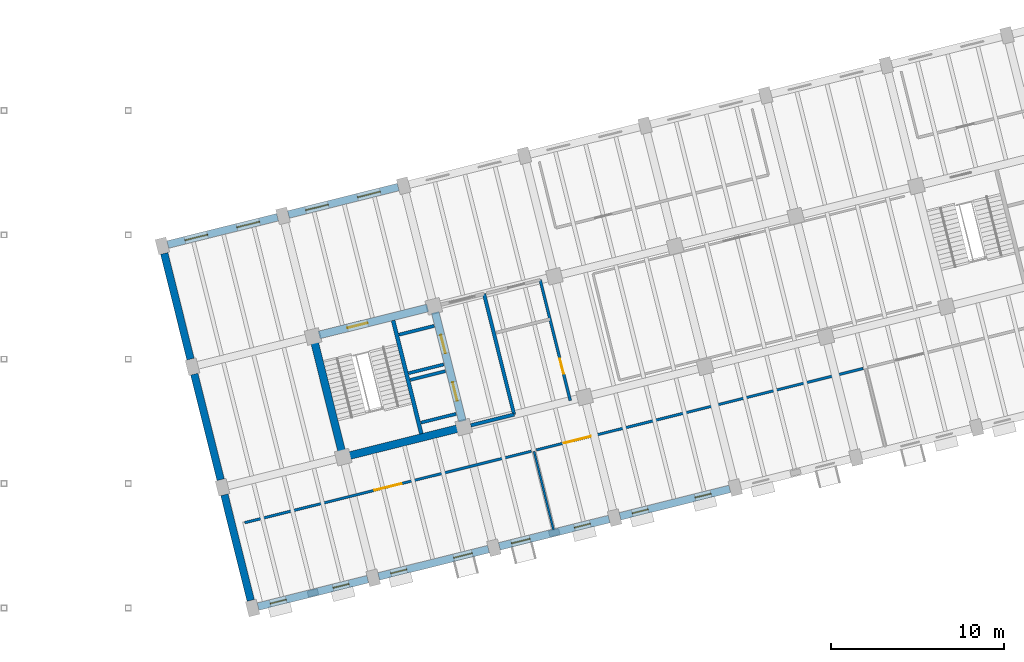
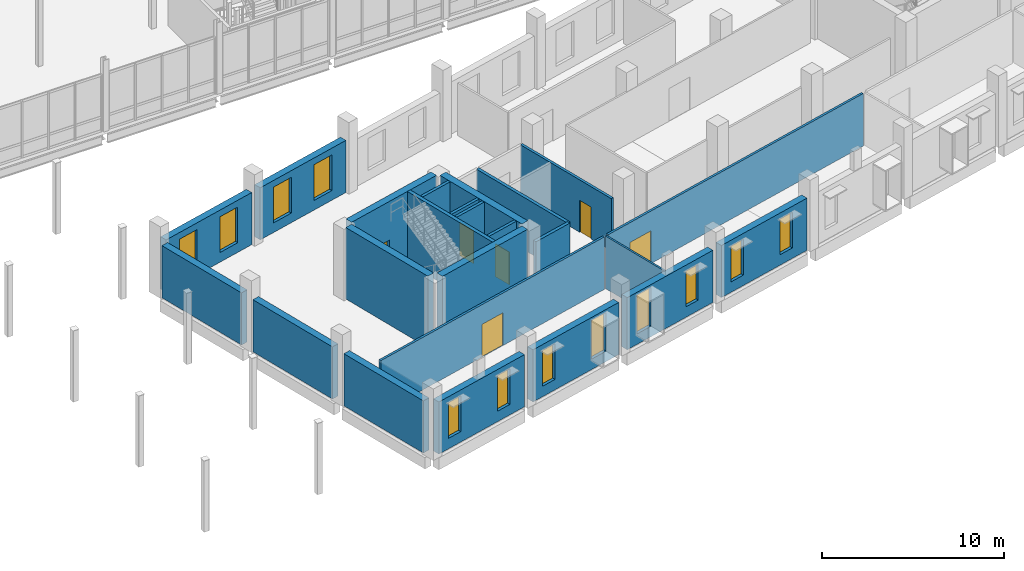
# One storey, part 61 of 77: 24 walls, 12 windows, 6 doors, 18 openings.
"""IFC4 building model written with IfcOpenShell, lengths in metres."""

from ifc_helpers import new_model, si_unit, direction, frame, frame_2d, origin, place, context, subcontext, project, spatial, rectangle, extrude, material, layer, layer_set, type_object, element, fill, save


model = new_model("IFC4")

# Units and contexts
model_context = context("Model", 3, precision=1e-05, world=origin(), true_north=direction((0.0, 1.0)))
body_context = subcontext(model_context, "Body", "Model", "MODEL_VIEW")
ifc_project = project(units=[si_unit("LENGTHUNIT", "METRE"), si_unit("AREAUNIT", "SQUARE_METRE"), si_unit("VOLUMEUNIT", "CUBIC_METRE"), si_unit("PLANEANGLEUNIT", "RADIAN"), si_unit("MASSUNIT", "GRAM", prefix="KILO")], contexts=[model_context])

# Site, building, storey
site_placement = place(None, origin())
site = spatial("IfcSite", under=ifc_project, at=site_placement, CompositionType="ELEMENT")
building_placement = place(site_placement, origin())
building = spatial("IfcBuilding", under=site, at=building_placement, Name="Qiaolan Assembly House", CompositionType="ELEMENT")
storey_placement = place(building_placement, frame((0.0, 0.0, 5.39990234375)))
storey = spatial("IfcBuildingStorey", under=building, at=storey_placement, Name="L01", CompositionType="ELEMENT", Elevation=5.39990234375)

# Wall
ifc_material_1 = material(Name="Concrete C50/60", Category="concrete")
ifc_layer_1 = layer(ifc_material_1, 0.449951171875)
ifc_layer_set_1 = layer_set([ifc_layer_1], Name="Concrete C50/60")
wall_type_1 = type_object("IfcWallType", Name="WAL-CORE-450", PredefinedType="SHEAR", material=ifc_layer_set_1)
wall_1_placement = place(storey_placement, frame((41.583984375, 8.812744140625, 0.0), z_axis=(0.0, 0.0, 1.0), x_axis=(0.970294759049, 0.241925774902, 0.0)))
element("IfcWall", 1, at=wall_1_placement, inside=storey, type_object=wall_type_1, Name="CW-450 shear core wall CORE-C S L01", PredefinedType="SHEAR", context=body_context, shape_type="SweptSolid", body=[
    extrude(rectangle(XDim=6.5, YDim=0.449951171875, at=frame_2d((3.25, 0.0))), origin(), (0.0, 0.0, 1.0), 4.800048828125),
])

# Wall, openings, doors
wall_2_placement = place(storey_placement, frame((48.145751953125, 10.809326171875, 0.0), z_axis=(0.0, 0.0, 1.0), x_axis=(-0.241925774902, 0.970294759049, 0.0)))
wall_2 = element("IfcWall", 2, at=wall_2_placement, inside=storey, type_object=wall_type_1, Name="CW-450 shear core wall CORE-C E L01", PredefinedType="SHEAR", context=body_context, shape_type="SweptSolid", body=[
    extrude(rectangle(XDim=6.5, YDim=0.449951171875, at=frame_2d((3.25, 0.0))), origin(), (0.0, 0.0, 1.0), 4.800048828125),
])
opening_1_placement = place(wall_2_placement, frame((1.22509765625, 0.0, 0.0)))
opening_1 = element("IfcOpeningElement", 3, at=opening_1_placement, cuts=wall_2, Name="Opening LD-047", PredefinedType="OPENING", context=body_context, shape_type="SweptSolid", body=[
    extrude(rectangle(XDim=1.10009765625, YDim=2.199951171875, at=frame_2d((0.550048828125, 1.10009765625))), frame((0.0, 0.23486328125, 0.0), z_axis=(0.0, -1.0, 0.0), x_axis=(1.0, 0.0, 0.0)), (0.0, 0.0, 1.0), 0.469970703125),
])
opening_2_placement = place(wall_2_placement, frame((4.050048828125, 0.0, 0.0)))
opening_2 = element("IfcOpeningElement", 4, at=opening_2_placement, cuts=wall_2, Name="Opening LD-053", PredefinedType="OPENING", context=body_context, shape_type="SweptSolid", body=[
    extrude(rectangle(XDim=1.10009765625, YDim=2.199951171875, at=frame_2d((0.550048828125, 1.10009765625))), frame((0.0, 0.23486328125, 0.0), z_axis=(0.0, -1.0, 0.0), x_axis=(1.0, 0.0, 0.0)), (0.0, 0.0, 1.0), 0.469970703125),
])
ifc_material_2 = material(Name="Anodised bronze aluminium", Category="aluminium")
door_type_1 = type_object("IfcDoorType", Name="DOR-LIFT-LD1100", OperationType="SLIDING_TO_LEFT", PredefinedType="DOOR", material=ifc_material_2)
door_1_placement = place(opening_1_placement, origin())
door_1 = element("IfcDoor", 5, at=door_1_placement, inside=storey, type_object=door_type_1, Name="Lift landing door LD-047 (LF-06 L01)", OperationType="SLIDING_TO_LEFT", OverallHeight=2.199951171875, OverallWidth=1.10009765625, PredefinedType="DOOR", context=body_context, shape_type="SweptSolid", body=[
    extrude(rectangle(XDim=1.10009765625, YDim=2.199951171875, at=frame_2d((0.550048828125, 1.10009765625))), frame((0.0, 0.02490234375, 0.0), z_axis=(0.0, -1.0, 0.0), x_axis=(1.0, 0.0, 0.0)), (0.0, 0.0, 1.0), 0.050048828125),
])
fill(opening_1, door_1)
door_2_placement = place(opening_2_placement, origin())
door_2 = element("IfcDoor", 6, at=door_2_placement, inside=storey, type_object=door_type_1, Name="Lift landing door LD-053 (LF-07 L01)", OperationType="SLIDING_TO_LEFT", OverallHeight=2.199951171875, OverallWidth=1.10009765625, PredefinedType="DOOR", context=body_context, shape_type="SweptSolid", body=[
    extrude(rectangle(XDim=1.10009765625, YDim=2.199951171875, at=frame_2d((0.550048828125, 1.10009765625))), frame((0.0, 0.02490234375, 0.0), z_axis=(0.0, -1.0, 0.0), x_axis=(1.0, 0.0, 0.0)), (0.0, 0.0, 1.0), 0.050048828125),
])
fill(opening_2, door_2)

# Wall, opening, door
wall_3_placement = place(storey_placement, frame((46.14892578125, 17.371337890625, 0.0), z_axis=(0.0, 0.0, 1.0), x_axis=(-0.970294759049, -0.241925774902, 0.0)))
wall_3 = element("IfcWall", 7, at=wall_3_placement, inside=storey, type_object=wall_type_1, Name="CW-450 shear core wall CORE-C N L01", PredefinedType="SHEAR", context=body_context, shape_type="SweptSolid", body=[
    extrude(rectangle(XDim=6.5, YDim=0.449951171875, at=frame_2d((3.25, 0.0))), origin(), (0.0, 0.0, 1.0), 4.800048828125),
])
opening_3_placement = place(wall_3_placement, frame((3.60009765625, 0.0, 0.0)))
opening_3 = element("IfcOpeningElement", 8, at=opening_3_placement, cuts=wall_3, Name="Opening FD-075", PredefinedType="OPENING", context=body_context, shape_type="SweptSolid", body=[
    extrude(rectangle(XDim=1.199951171875, YDim=2.199951171875, at=frame_2d((0.60009765625, 1.10009765625))), frame((0.0, 0.23486328125, 0.0), z_axis=(0.0, -1.0, 0.0), x_axis=(1.0, 0.0, 0.0)), (0.0, 0.0, 1.0), 0.469970703125),
])
ifc_material_3 = material(Name="Steel Q355B", Category="steel")
door_type_2 = type_object("IfcDoorType", Name="DOR-FIRE-FD90-1200", OperationType="NOTDEFINED", PredefinedType="DOOR", material=ifc_material_3)
door_3_placement = place(opening_3_placement, frame((1.199951171875, 0.0, 0.0), z_axis=(0.0, 0.0, 1.0), x_axis=(-1.0, 0.0, 0.0)))
door_3 = element("IfcDoor", 9, at=door_3_placement, inside=storey, type_object=door_type_2, Name="Stairwell fire door FD-075 (CORE-C L01)", OperationType="SINGLE_SWING_RIGHT", OverallHeight=2.199951171875, OverallWidth=1.199951171875, PredefinedType="DOOR", context=body_context, shape_type="SweptSolid", body=[
    extrude(rectangle(XDim=1.199951171875, YDim=2.199951171875, at=frame_2d((0.60009765625, 1.10009765625))), frame((0.0, 0.02490234375, 0.0), z_axis=(0.0, -1.0, 0.0), x_axis=(1.0, 0.0, 0.0)), (0.0, 0.0, 1.0), 0.050048828125),
])
fill(opening_3, door_3)

# Wall
wall_4_placement = place(storey_placement, frame((39.587158203125, 15.37451171875, 0.0), z_axis=(0.0, 0.0, 1.0), x_axis=(0.241925774902, -0.970294759049, 0.0)))
element("IfcWall", 10, at=wall_4_placement, inside=storey, type_object=wall_type_1, Name="CW-450 shear core wall CORE-C W L01", PredefinedType="SHEAR", context=body_context, shape_type="SweptSolid", body=[
    extrude(rectangle(XDim=6.5, YDim=0.449951171875, at=frame_2d((3.25, 0.0))), origin(), (0.0, 0.0, 1.0), 4.800048828125),
])

# Wall, openings, windows
ifc_material_4 = material(Name="Honed pale limestone", Category="masonry")
ifc_layer_2 = layer(ifc_material_4, 0.43505859375)
ifc_layer_set_2 = layer_set([ifc_layer_2], Name="Honed pale limestone")
wall_type_2 = type_object("IfcWallType", Name="WAL-EXT-RUSTIC-420", PredefinedType="SOLIDWALL", material=ifc_layer_set_2)
wall_5_placement = place(storey_placement, frame((36.3134765625, 0.078125, 0.0), z_axis=(0.0, 0.0, 1.0), x_axis=(0.970289137034, 0.241948322073, 0.0)))
wall_5 = element("IfcWall", 11, at=wall_5_placement, inside=storey, type_object=wall_type_2, Name="EW-420 SE South boulevard wall L01 bay 1", PredefinedType="SOLIDWALL", context=body_context, shape_type="SweptSolid", body=[
    extrude(rectangle(XDim=6.553955078125, YDim=0.43505859375, at=frame_2d((3.27685546875, 0.0))), origin(), (0.0, 0.0, 1.0), 3.5),
])
opening_4_placement = place(wall_5_placement, frame((0.72705078125, 0.0, 0.699951171875)))
opening_4 = element("IfcOpeningElement", 12, at=opening_4_placement, cuts=wall_5, Name="Opening WN-246", PredefinedType="OPENING", context=body_context, shape_type="SweptSolid", body=[
    extrude(rectangle(XDim=0.949951171875, YDim=2.39990234375, at=frame_2d((0.47509765625, 1.199951171875))), frame((0.0, 0.2275390625, 0.0), z_axis=(0.0, -1.0, 0.0), x_axis=(1.0, 0.0, 0.0)), (0.0, 0.0, 1.0), 0.455078125),
])
opening_5_placement = place(wall_5_placement, frame((4.47705078125, 0.0, 0.699951171875)))
opening_5 = element("IfcOpeningElement", 13, at=opening_5_placement, cuts=wall_5, Name="Opening WN-247", PredefinedType="OPENING", context=body_context, shape_type="SweptSolid", body=[
    extrude(rectangle(XDim=0.949951171875, YDim=2.39990234375, at=frame_2d((0.47509765625, 1.199951171875))), frame((0.0, 0.2275390625, 0.0), z_axis=(0.0, -1.0, 0.0), x_axis=(1.0, 0.0, 0.0)), (0.0, 0.0, 1.0), 0.455078125),
])
ifc_material_5 = material(Name="Low-E double insulating glass", Category="glass")
window_type_1 = type_object("IfcWindowType", Name="WIN-PUNCH-950x2400", PartitioningType="SINGLE_PANEL", PredefinedType="WINDOW", material=ifc_material_5)
window_1_placement = place(opening_4_placement, origin())
window_1 = element("IfcWindow", 14, at=window_1_placement, inside=storey, type_object=window_type_1, Name="WN-T06 splayed window WN-246", OverallHeight=2.39990234375, OverallWidth=0.949951171875, PartitioningType="SINGLE_PANEL", PredefinedType="WINDOW", context=body_context, shape_type="SweptSolid", body=[
    extrude(rectangle(XDim=0.949951171875, YDim=2.39990234375, at=frame_2d((0.47509765625, 1.199951171875))), frame((0.0, 0.030029296875, 0.0), z_axis=(0.0, -1.0, 0.0), x_axis=(1.0, 0.0, 0.0)), (0.0, 0.0, 1.0), 0.06005859375),
])
fill(opening_4, window_1)
window_2_placement = place(opening_5_placement, origin())
window_2 = element("IfcWindow", 15, at=window_2_placement, inside=storey, type_object=window_type_1, Name="WN-T06 splayed window WN-247", OverallHeight=2.39990234375, OverallWidth=0.949951171875, PartitioningType="SINGLE_PANEL", PredefinedType="WINDOW", context=body_context, shape_type="SweptSolid", body=[
    extrude(rectangle(XDim=0.949951171875, YDim=2.39990234375, at=frame_2d((0.47509765625, 1.199951171875))), frame((0.0, 0.030029296875, 0.0), z_axis=(0.0, -1.0, 0.0), x_axis=(1.0, 0.0, 0.0)), (0.0, 0.0, 1.0), 0.06005859375),
])
fill(opening_5, window_2)

wall_6_placement = place(storey_placement, frame((43.299560546875, 1.820068359375, 0.0), z_axis=(0.0, 0.0, 1.0), x_axis=(0.970300061562, 0.241904507055, 0.0)))
wall_6 = element("IfcWall", 16, at=wall_6_placement, inside=storey, type_object=wall_type_2, Name="EW-420 SE South boulevard wall L01 bay 2", PredefinedType="SOLIDWALL", context=body_context, shape_type="SweptSolid", body=[
    extrude(rectangle(XDim=6.553955078125, YDim=0.43505859375, at=frame_2d((3.27685546875, 0.0))), origin(), (0.0, 0.0, 1.0), 3.5),
])
opening_6_placement = place(wall_6_placement, frame((0.72705078125, 0.0, 0.699951171875)))
opening_6 = element("IfcOpeningElement", 17, at=opening_6_placement, cuts=wall_6, Name="Opening WN-248", PredefinedType="OPENING", context=body_context, shape_type="SweptSolid", body=[
    extrude(rectangle(XDim=0.949951171875, YDim=2.39990234375, at=frame_2d((0.47509765625, 1.199951171875))), frame((0.0, 0.2275390625, 0.0), z_axis=(0.0, -1.0, 0.0), x_axis=(1.0, 0.0, 0.0)), (0.0, 0.0, 1.0), 0.455078125),
])
opening_7_placement = place(wall_6_placement, frame((4.47705078125, 0.0, 0.699951171875)))
opening_7 = element("IfcOpeningElement", 18, at=opening_7_placement, cuts=wall_6, Name="Opening WN-249", PredefinedType="OPENING", context=body_context, shape_type="SweptSolid", body=[
    extrude(rectangle(XDim=1.10009765625, YDim=2.60009765625, at=frame_2d((0.550048828125, 1.300048828125))), frame((0.0, 0.2275390625, 0.0), z_axis=(0.0, -1.0, 0.0), x_axis=(1.0, 0.0, 0.0)), (0.0, 0.0, 1.0), 0.455078125),
])
window_type_2 = type_object("IfcWindowType", Name="WIN-BOX-1100x2600", PartitioningType="SINGLE_PANEL", PredefinedType="WINDOW", material=ifc_material_5)
window_3_placement = place(opening_7_placement, origin())
window_3 = element("IfcWindow", 19, at=window_3_placement, inside=storey, type_object=window_type_2, Name="WN-T02 splayed window WN-249", OverallHeight=2.60009765625, OverallWidth=1.10009765625, PartitioningType="SINGLE_PANEL", PredefinedType="WINDOW", context=body_context, shape_type="SweptSolid", body=[
    extrude(rectangle(XDim=1.10009765625, YDim=2.60009765625, at=frame_2d((0.550048828125, 1.300048828125))), frame((0.0, 0.030029296875, 0.0), z_axis=(0.0, -1.0, 0.0), x_axis=(1.0, 0.0, 0.0)), (0.0, 0.0, 1.0), 0.06005859375),
])
fill(opening_7, window_3)
window_4_placement = place(opening_6_placement, origin())
window_4 = element("IfcWindow", 20, at=window_4_placement, inside=storey, type_object=window_type_1, Name="WN-T06 splayed window WN-248", OverallHeight=2.39990234375, OverallWidth=0.949951171875, PartitioningType="SINGLE_PANEL", PredefinedType="WINDOW", context=body_context, shape_type="SweptSolid", body=[
    extrude(rectangle(XDim=0.949951171875, YDim=2.39990234375, at=frame_2d((0.47509765625, 1.199951171875))), frame((0.0, 0.030029296875, 0.0), z_axis=(0.0, -1.0, 0.0), x_axis=(1.0, 0.0, 0.0)), (0.0, 0.0, 1.0), 0.06005859375),
])
fill(opening_6, window_4)

wall_7_placement = place(storey_placement, frame((50.28564453125, 3.561767578125, 0.0), z_axis=(0.0, 0.0, 1.0), x_axis=(0.970291317579, 0.24193957723, 0.0)))
wall_7 = element("IfcWall", 21, at=wall_7_placement, inside=storey, type_object=wall_type_2, Name="EW-420 SE South boulevard wall L01 bay 3", PredefinedType="SOLIDWALL", context=body_context, shape_type="SweptSolid", body=[
    extrude(rectangle(XDim=6.55419921875, YDim=0.43505859375, at=frame_2d((3.277099609375, 0.0))), origin(), (0.0, 0.0, 1.0), 3.5),
])
opening_8_placement = place(wall_7_placement, frame((0.72705078125, 0.0, 0.699951171875)))
opening_8 = element("IfcOpeningElement", 22, at=opening_8_placement, cuts=wall_7, Name="Opening WN-250", PredefinedType="OPENING", context=body_context, shape_type="SweptSolid", body=[
    extrude(rectangle(XDim=1.10009765625, YDim=2.60009765625, at=frame_2d((0.550048828125, 1.300048828125))), frame((0.0, 0.2275390625, 0.0), z_axis=(0.0, -1.0, 0.0), x_axis=(1.0, 0.0, 0.0)), (0.0, 0.0, 1.0), 0.455078125),
])
opening_9_placement = place(wall_7_placement, frame((4.47705078125, 0.0, 0.699951171875)))
opening_9 = element("IfcOpeningElement", 23, at=opening_9_placement, cuts=wall_7, Name="Opening WN-251", PredefinedType="OPENING", context=body_context, shape_type="SweptSolid", body=[
    extrude(rectangle(XDim=0.949951171875, YDim=2.39990234375, at=frame_2d((0.47509765625, 1.199951171875))), frame((0.0, 0.2275390625, 0.0), z_axis=(0.0, -1.0, 0.0), x_axis=(1.0, 0.0, 0.0)), (0.0, 0.0, 1.0), 0.455078125),
])
window_5_placement = place(opening_8_placement, origin())
window_5 = element("IfcWindow", 24, at=window_5_placement, inside=storey, type_object=window_type_2, Name="WN-T02 splayed window WN-250", OverallHeight=2.60009765625, OverallWidth=1.10009765625, PartitioningType="SINGLE_PANEL", PredefinedType="WINDOW", context=body_context, shape_type="SweptSolid", body=[
    extrude(rectangle(XDim=1.10009765625, YDim=2.60009765625, at=frame_2d((0.550048828125, 1.300048828125))), frame((0.0, 0.030029296875, 0.0), z_axis=(0.0, -1.0, 0.0), x_axis=(1.0, 0.0, 0.0)), (0.0, 0.0, 1.0), 0.06005859375),
])
fill(opening_8, window_5)
window_6_placement = place(opening_9_placement, origin())
window_6 = element("IfcWindow", 25, at=window_6_placement, inside=storey, type_object=window_type_1, Name="WN-T06 splayed window WN-251", OverallHeight=2.39990234375, OverallWidth=0.949951171875, PartitioningType="SINGLE_PANEL", PredefinedType="WINDOW", context=body_context, shape_type="SweptSolid", body=[
    extrude(rectangle(XDim=0.949951171875, YDim=2.39990234375, at=frame_2d((0.47509765625, 1.199951171875))), frame((0.0, 0.030029296875, 0.0), z_axis=(0.0, -1.0, 0.0), x_axis=(1.0, 0.0, 0.0)), (0.0, 0.0, 1.0), 0.06005859375),
])
fill(opening_9, window_6)

wall_8_placement = place(storey_placement, frame((57.271728515625, 5.3037109375, 0.0), z_axis=(0.0, 0.0, 1.0), x_axis=(0.970300061562, 0.241904507055, 0.0)))
wall_8 = element("IfcWall", 26, at=wall_8_placement, inside=storey, type_object=wall_type_2, Name="EW-420 SE South boulevard wall L01 bay 4", PredefinedType="SOLIDWALL", context=body_context, shape_type="SweptSolid", body=[
    extrude(rectangle(XDim=6.553955078125, YDim=0.43505859375, at=frame_2d((3.27685546875, 0.0))), origin(), (0.0, 0.0, 1.0), 3.5),
])
opening_10_placement = place(wall_8_placement, frame((0.72705078125, 0.0, 0.699951171875)))
opening_10 = element("IfcOpeningElement", 27, at=opening_10_placement, cuts=wall_8, Name="Opening WN-252", PredefinedType="OPENING", context=body_context, shape_type="SweptSolid", body=[
    extrude(rectangle(XDim=0.949951171875, YDim=2.39990234375, at=frame_2d((0.47509765625, 1.199951171875))), frame((0.0, 0.2275390625, 0.0), z_axis=(0.0, -1.0, 0.0), x_axis=(1.0, 0.0, 0.0)), (0.0, 0.0, 1.0), 0.455078125),
])
opening_11_placement = place(wall_8_placement, frame((4.47705078125, 0.0, 0.699951171875)))
opening_11 = element("IfcOpeningElement", 28, at=opening_11_placement, cuts=wall_8, Name="Opening WN-253", PredefinedType="OPENING", context=body_context, shape_type="SweptSolid", body=[
    extrude(rectangle(XDim=0.949951171875, YDim=2.39990234375, at=frame_2d((0.47509765625, 1.199951171875))), frame((0.0, 0.2275390625, 0.0), z_axis=(0.0, -1.0, 0.0), x_axis=(1.0, 0.0, 0.0)), (0.0, 0.0, 1.0), 0.455078125),
])
window_7_placement = place(opening_10_placement, origin())
window_7 = element("IfcWindow", 29, at=window_7_placement, inside=storey, type_object=window_type_1, Name="WN-T06 splayed window WN-252", OverallHeight=2.39990234375, OverallWidth=0.949951171875, PartitioningType="SINGLE_PANEL", PredefinedType="WINDOW", context=body_context, shape_type="SweptSolid", body=[
    extrude(rectangle(XDim=0.949951171875, YDim=2.39990234375, at=frame_2d((0.47509765625, 1.199951171875))), frame((0.0, 0.030029296875, 0.0), z_axis=(0.0, -1.0, 0.0), x_axis=(1.0, 0.0, 0.0)), (0.0, 0.0, 1.0), 0.06005859375),
])
fill(opening_10, window_7)
window_8_placement = place(opening_11_placement, origin())
window_8 = element("IfcWindow", 30, at=window_8_placement, inside=storey, type_object=window_type_1, Name="WN-T06 splayed window WN-253", OverallHeight=2.39990234375, OverallWidth=0.949951171875, PartitioningType="SINGLE_PANEL", PredefinedType="WINDOW", context=body_context, shape_type="SweptSolid", body=[
    extrude(rectangle(XDim=0.949951171875, YDim=2.39990234375, at=frame_2d((0.47509765625, 1.199951171875))), frame((0.0, 0.030029296875, 0.0), z_axis=(0.0, -1.0, 0.0), x_axis=(1.0, 0.0, 0.0)), (0.0, 0.0, 1.0), 0.06005859375),
])
fill(opening_11, window_8)

wall_9_placement = place(storey_placement, frame((37.447265625, 22.6220703125, 0.0), z_axis=(0.0, 0.0, 1.0), x_axis=(-0.970300061562, -0.241904507055, 0.0)))
wall_9 = element("IfcWall", 31, at=wall_9_placement, inside=storey, type_object=wall_type_2, Name="EW-420 SE North court wall L01 bay 1", PredefinedType="SOLIDWALL", context=body_context, shape_type="SweptSolid", body=[
    extrude(rectangle(XDim=6.553955078125, YDim=0.43505859375, at=frame_2d((3.27685546875, 0.0))), origin(), (0.0, 0.0, 1.0), 3.5),
])
opening_12_placement = place(wall_9_placement, frame((1.076904296875, 0.0, 0.64990234375)))
opening_12 = element("IfcOpeningElement", 32, at=opening_12_placement, cuts=wall_9, Name="Opening WN-262", PredefinedType="OPENING", context=body_context, shape_type="SweptSolid", body=[
    extrude(rectangle(XDim=1.35009765625, YDim=2.39990234375, at=frame_2d((0.675048828125, 1.199951171875))), frame((0.0, 0.2275390625, 0.0), z_axis=(0.0, -1.0, 0.0), x_axis=(1.0, 0.0, 0.0)), (0.0, 0.0, 1.0), 0.455078125),
])
opening_13_placement = place(wall_9_placement, frame((4.177001953125, 0.0, 0.64990234375)))
opening_13 = element("IfcOpeningElement", 33, at=opening_13_placement, cuts=wall_9, Name="Opening WN-263", PredefinedType="OPENING", context=body_context, shape_type="SweptSolid", body=[
    extrude(rectangle(XDim=1.35009765625, YDim=2.39990234375, at=frame_2d((0.675048828125, 1.199951171875))), frame((0.0, 0.2275390625, 0.0), z_axis=(0.0, -1.0, 0.0), x_axis=(1.0, 0.0, 0.0)), (0.0, 0.0, 1.0), 0.455078125),
])
window_type_3 = type_object("IfcWindowType", Name="WIN-COURT-1350x2400", PartitioningType="DOUBLE_PANEL_VERTICAL", PredefinedType="WINDOW", material=ifc_material_5)
window_9_placement = place(opening_12_placement, origin())
window_9 = element("IfcWindow", 34, at=window_9_placement, inside=storey, type_object=window_type_3, Name="SE court window WN-262", OverallHeight=2.39990234375, OverallWidth=1.35009765625, PartitioningType="DOUBLE_PANEL_VERTICAL", PredefinedType="WINDOW", context=body_context, shape_type="SweptSolid", body=[
    extrude(rectangle(XDim=1.35009765625, YDim=2.39990234375, at=frame_2d((0.675048828125, 1.199951171875))), frame((0.0, 0.030029296875, 0.0), z_axis=(0.0, -1.0, 0.0), x_axis=(1.0, 0.0, 0.0)), (0.0, 0.0, 1.0), 0.06005859375),
])
fill(opening_12, window_9)
window_10_placement = place(opening_13_placement, origin())
window_10 = element("IfcWindow", 35, at=window_10_placement, inside=storey, type_object=window_type_3, Name="SE court window WN-263", OverallHeight=2.39990234375, OverallWidth=1.35009765625, PartitioningType="DOUBLE_PANEL_VERTICAL", PredefinedType="WINDOW", context=body_context, shape_type="SweptSolid", body=[
    extrude(rectangle(XDim=1.35009765625, YDim=2.39990234375, at=frame_2d((0.675048828125, 1.199951171875))), frame((0.0, 0.030029296875, 0.0), z_axis=(0.0, -1.0, 0.0), x_axis=(1.0, 0.0, 0.0)), (0.0, 0.0, 1.0), 0.06005859375),
])
fill(opening_13, window_10)

wall_10_placement = place(storey_placement, frame((44.433349609375, 24.364013671875, 0.0), z_axis=(0.0, 0.0, 1.0), x_axis=(-0.970291317579, -0.24193957723, 0.0)))
wall_10 = element("IfcWall", 36, at=wall_10_placement, inside=storey, type_object=wall_type_2, Name="EW-420 SE North court wall L01 bay 2", PredefinedType="SOLIDWALL", context=body_context, shape_type="SweptSolid", body=[
    extrude(rectangle(XDim=6.55419921875, YDim=0.43505859375, at=frame_2d((3.277099609375, 0.0))), origin(), (0.0, 0.0, 1.0), 3.5),
])
opening_14_placement = place(wall_10_placement, frame((1.076904296875, 0.0, 0.64990234375)))
opening_14 = element("IfcOpeningElement", 37, at=opening_14_placement, cuts=wall_10, Name="Opening WN-264", PredefinedType="OPENING", context=body_context, shape_type="SweptSolid", body=[
    extrude(rectangle(XDim=1.35009765625, YDim=2.39990234375, at=frame_2d((0.675048828125, 1.199951171875))), frame((0.0, 0.2275390625, 0.0), z_axis=(0.0, -1.0, 0.0), x_axis=(1.0, 0.0, 0.0)), (0.0, 0.0, 1.0), 0.455078125),
])
opening_15_placement = place(wall_10_placement, frame((4.177001953125, 0.0, 0.64990234375)))
opening_15 = element("IfcOpeningElement", 38, at=opening_15_placement, cuts=wall_10, Name="Opening WN-265", PredefinedType="OPENING", context=body_context, shape_type="SweptSolid", body=[
    extrude(rectangle(XDim=1.35009765625, YDim=2.39990234375, at=frame_2d((0.675048828125, 1.199951171875))), frame((0.0, 0.2275390625, 0.0), z_axis=(0.0, -1.0, 0.0), x_axis=(1.0, 0.0, 0.0)), (0.0, 0.0, 1.0), 0.455078125),
])
window_11_placement = place(opening_14_placement, origin())
window_11 = element("IfcWindow", 39, at=window_11_placement, inside=storey, type_object=window_type_3, Name="SE court window WN-264", OverallHeight=2.39990234375, OverallWidth=1.35009765625, PartitioningType="DOUBLE_PANEL_VERTICAL", PredefinedType="WINDOW", context=body_context, shape_type="SweptSolid", body=[
    extrude(rectangle(XDim=1.35009765625, YDim=2.39990234375, at=frame_2d((0.675048828125, 1.199951171875))), frame((0.0, 0.030029296875, 0.0), z_axis=(0.0, -1.0, 0.0), x_axis=(1.0, 0.0, 0.0)), (0.0, 0.0, 1.0), 0.06005859375),
])
fill(opening_14, window_11)
window_12_placement = place(opening_15_placement, origin())
window_12 = element("IfcWindow", 40, at=window_12_placement, inside=storey, type_object=window_type_3, Name="SE court window WN-265", OverallHeight=2.39990234375, OverallWidth=1.35009765625, PartitioningType="DOUBLE_PANEL_VERTICAL", PredefinedType="WINDOW", context=body_context, shape_type="SweptSolid", body=[
    extrude(rectangle(XDim=1.35009765625, YDim=2.39990234375, at=frame_2d((0.675048828125, 1.199951171875))), frame((0.0, 0.030029296875, 0.0), z_axis=(0.0, -1.0, 0.0), x_axis=(1.0, 0.0, 0.0)), (0.0, 0.0, 1.0), 0.06005859375),
])
fill(opening_15, window_12)

# Walls
for number, where, z_axis, x_axis, name in (
    (41, (34.366455078125, 6.551513671875, 0.0), (0.0, 0.0, 1.0), (0.241934154531, -0.970292669699, 0.0), "SE West wall L01-1"),
    (42, (32.624755859375, 13.53759765625, 0.0), (0.0, 0.0, 1.0), (0.241934154531, -0.970292669699, 0.0), "SE West wall L01-2"),
    (43, (30.8828125, 20.523681640625, 0.0), (0.0, 0.0, 1.0), (0.241934154531, -0.970292669699, 0.0), "SE West wall L01-3"),
):
    element("IfcWall", number, at=place(storey_placement, frame(where, z_axis=z_axis, x_axis=x_axis)), inside=storey, type_object=wall_type_2, Name=name, PredefinedType="SOLIDWALL", context=body_context, shape_type="SweptSolid", body=[
        extrude(rectangle(XDim=6.303955078125, YDim=0.43505859375, at=frame_2d((3.15185546875, 0.0))), origin(), (0.0, 0.0, 1.0), 3.5),
    ])
ifc_material_6 = material(Name="Concrete C35/45", Category="concrete")
ifc_layer_3 = layer(ifc_material_6, 0.199951171875)
ifc_layer_set_3 = layer_set([ifc_layer_3], Name="Concrete C35/45")
wall_type_3 = type_object("IfcWallType", Name="WAL-LOBBY-200", PredefinedType="PARTITIONING", material=ifc_layer_set_3)
wall_11_placement = place(storey_placement, frame((51.141357421875, 11.195556640625, 0.0), z_axis=(0.0, 0.0, 1.0), x_axis=(-0.241937193493, 0.970291911955, 0.0)))
element("IfcWall", 44, at=wall_11_placement, inside=storey, type_object=wall_type_3, Name="Firefighting lift lobby east wall CORE-C L01", PredefinedType="PARTITIONING", context=body_context, shape_type="SweptSolid", body=[
    extrude(rectangle(XDim=7.199951171875, YDim=0.199951171875, at=frame_2d((3.60009765625, 0.0))), origin(), (0.0, 0.0, 1.0), 3.52001953125),
])
wall_12_placement = place(storey_placement, frame((48.637939453125, 10.571533203125, 0.0), z_axis=(0.0, 0.0, 1.0), x_axis=(0.970309259708, 0.2418676095, 0.0)))
element("IfcWall", 45, at=wall_12_placement, inside=storey, type_object=wall_type_3, Name="Firefighting lift lobby south wall CORE-C L01", PredefinedType="PARTITIONING", context=body_context, shape_type="SweptSolid", body=[
    extrude(rectangle(XDim=2.580078125, YDim=0.199951171875, at=frame_2d((1.2900390625, 0.0))), origin(), (0.0, 0.0, 1.0), 3.52001953125),
])
ifc_material_7 = material(Name="Gypsum plasterboard partition")
ifc_layer_4 = layer(ifc_material_7, 0.1201171875)
ifc_layer_set_4 = layer_set([ifc_layer_4], Name="Gypsum plasterboard partition")
wall_type_4 = type_object("IfcWallType", Name="WAL-PART-120", PredefinedType="PARTITIONING", material=ifc_layer_set_4)
wall_13_placement = place(storey_placement, frame((53.421875, 4.529296875, 0.0), z_axis=(0.0, 0.0, 1.0), x_axis=(-0.241945139998, 0.970289930501, 0.0)))
element("IfcWall", 46, at=wall_13_placement, inside=storey, type_object=wall_type_4, Name="Planning & Building Permit Counter Hall demising wall", PredefinedType="PARTITIONING", context=body_context, shape_type="SweptSolid", body=[
    extrude(rectangle(XDim=4.669921875, YDim=0.1201171875, at=frame_2d((2.3349609375, 0.0))), origin(), (0.0, 0.0, 1.0), 3.52001953125),
])

# Wall, opening, door
ifc_layer_5 = layer(ifc_material_7, 0.14990234375)
ifc_layer_set_5 = layer_set([ifc_layer_5], Name="Gypsum plasterboard partition")
wall_type_5 = type_object("IfcWallType", Name="WAL-PART-150", PredefinedType="PARTITIONING", material=ifc_layer_set_5)
wall_14_placement = place(storey_placement, frame((35.542236328125, 4.935791015625, 0.0), z_axis=(0.0, 0.0, 1.0), x_axis=(0.970294320027, 0.241927535687, 0.0)))
wall_14 = element("IfcWall", 47, at=wall_14_placement, inside=storey, type_object=wall_type_5, Name="Business Enterprise One-Stop Service Hall north wall", PredefinedType="PARTITIONING", context=body_context, shape_type="SweptSolid", body=[
    extrude(rectangle(XDim=17.10009765625, YDim=0.14990234375, at=frame_2d((8.550048828125, 0.0))), origin(), (0.0, 0.0, 1.0), 3.52001953125),
])
opening_16_placement = place(wall_14_placement, frame((7.75, 0.0, 0.0)))
opening_16 = element("IfcOpeningElement", 48, at=opening_16_placement, cuts=wall_14, Name="Opening SD-241", PredefinedType="OPENING", context=body_context, shape_type="SweptSolid", body=[
    extrude(rectangle(XDim=1.60009765625, YDim=2.199951171875, at=frame_2d((0.800048828125, 1.10009765625))), frame((0.0, 0.0849609375, 0.0), z_axis=(0.0, -1.0, 0.0), x_axis=(1.0, 0.0, 0.0)), (0.0, 0.0, 1.0), 0.169921875),
])
ifc_material_8 = material(Name="Acoustic oak panelling")
door_type_3 = type_object("IfcDoorType", Name="DOR-COMM-DBL-1600", OperationType="DOUBLE_DOOR_SINGLE_SWING", PredefinedType="DOOR", material=ifc_material_8)
door_4_placement = place(opening_16_placement, origin())
door_4 = element("IfcDoor", 49, at=door_4_placement, inside=storey, type_object=door_type_3, Name="Business Enterprise One-Stop Service Hall door SD-241", OperationType="DOUBLE_DOOR_SINGLE_SWING", OverallHeight=2.199951171875, OverallWidth=1.60009765625, PredefinedType="DOOR", context=body_context, shape_type="SweptSolid", body=[
    extrude(rectangle(XDim=1.60009765625, YDim=2.199951171875, at=frame_2d((0.800048828125, 1.10009765625))), frame((0.0, 0.02490234375, 0.0), z_axis=(0.0, -1.0, 0.0), x_axis=(1.0, 0.0, 0.0)), (0.0, 0.0, 1.0), 0.050048828125),
])
fill(opening_16, door_4)

wall_15_placement = place(storey_placement, frame((52.425537109375, 9.145263671875, 0.0), z_axis=(0.0, 0.0, 1.0), x_axis=(0.970294759049, 0.241925774902, 0.0)))
wall_15 = element("IfcWall", 50, at=wall_15_placement, inside=storey, type_object=wall_type_5, Name="Planning & Building Permit Counter Hall north wall", PredefinedType="PARTITIONING", context=body_context, shape_type="SweptSolid", body=[
    extrude(rectangle(XDim=19.5, YDim=0.14990234375, at=frame_2d((9.75, 0.0))), origin(), (0.0, 0.0, 1.0), 3.52001953125),
])
opening_17_placement = place(wall_15_placement, frame((1.64990234375, 0.0, 0.0)))
opening_17 = element("IfcOpeningElement", 51, at=opening_17_placement, cuts=wall_15, Name="Opening SD-242", PredefinedType="OPENING", context=body_context, shape_type="SweptSolid", body=[
    extrude(rectangle(XDim=1.60009765625, YDim=2.199951171875, at=frame_2d((0.800048828125, 1.10009765625))), frame((0.0, 0.0849609375, 0.0), z_axis=(0.0, -1.0, 0.0), x_axis=(1.0, 0.0, 0.0)), (0.0, 0.0, 1.0), 0.169921875),
])
door_5_placement = place(opening_17_placement, origin())
door_5 = element("IfcDoor", 52, at=door_5_placement, inside=storey, type_object=door_type_3, Name="Planning & Building Permit Counter Hall door SD-242", OperationType="DOUBLE_DOOR_SINGLE_SWING", OverallHeight=2.199951171875, OverallWidth=1.60009765625, PredefinedType="DOOR", context=body_context, shape_type="SweptSolid", body=[
    extrude(rectangle(XDim=1.60009765625, YDim=2.199951171875, at=frame_2d((0.800048828125, 1.10009765625))), frame((0.0, 0.02490234375, 0.0), z_axis=(0.0, -1.0, 0.0), x_axis=(1.0, 0.0, 0.0)), (0.0, 0.0, 1.0), 0.050048828125),
])
fill(opening_17, door_5)

# Walls
ifc_layer_6 = layer(ifc_material_6, 0.18505859375)
ifc_layer_set_6 = layer_set([ifc_layer_6], Name="Concrete C35/45")
wall_type_6 = type_object("IfcWallType", Name="WAL-SHAFT-200", PredefinedType="PARTITIONING", material=ifc_layer_set_6)
for number, where, z_axis, x_axis, name in (
    (53, (45.74462890625, 10.72607421875, 0.0), (0.0, 0.0, 1.0), (0.970292765557, 0.241933770084, 0.0), "SW-200 lift shaft wall LF-06 L01 DIVS"),
    (54, (45.127685546875, 13.2001953125, 0.0), (0.0, 0.0, 1.0), (0.970292765557, 0.241933770084, 0.0), "SW-200 lift shaft wall LF-06 L01 DIVN"),
    (55, (45.031005859375, 13.58837890625, 0.0), (0.0, 0.0, 1.0), (0.970292765557, 0.241933770084, 0.0), "SW-200 lift shaft wall LF-07 L01 DIVS"),
    (56, (44.474609375, 15.820068359375, 0.0), (0.0, 0.0, 1.0), (0.970292765557, 0.241933770084, 0.0), "SW-200 lift shaft wall LF-07 L01 DIVN"),
):
    element("IfcWall", number, at=place(storey_placement, frame(where, z_axis=z_axis, x_axis=x_axis)), inside=storey, type_object=wall_type_6, Name=name, PredefinedType="PARTITIONING", context=body_context, shape_type="SweptSolid", body=[
        extrude(rectangle(XDim=2.10009765625, YDim=0.18505859375, at=frame_2d((1.050048828125, 0.0))), origin(), (0.0, 0.0, 1.0), 4.800048828125),
    ])
ifc_material_9 = material(Name="Concrete C40/50", Category="concrete")
ifc_layer_7 = layer(ifc_material_9, 0.22509765625)
ifc_layer_set_7 = layer_set([ifc_layer_7], Name="Concrete C40/50")
wall_type_7 = type_object("IfcWallType", Name="WAL-STAIR-DIV-225", PredefinedType="SHEAR", material=ifc_layer_set_7)
wall_16_placement = place(storey_placement, frame((45.770751953125, 10.083251953125, 0.0), z_axis=(0.0, 0.0, 1.0), x_axis=(-0.241898249226, 0.970301621673, 0.0)))
element("IfcWall", 57, at=wall_16_placement, inside=storey, type_object=wall_type_7, Name="SDW-225 stairwell structural spine wall CORE-C L01", PredefinedType="SHEAR", context=body_context, shape_type="SweptSolid", body=[
    extrude(rectangle(XDim=6.760009765625, YDim=0.22509765625, at=frame_2d((3.3798828125, 0.0))), origin(), (0.0, 0.0, 1.0), 4.800048828125),
])

# Wall, opening, door
ifc_material_10 = material(Name="Concrete C30/37", Category="concrete")
ifc_layer_8 = layer(ifc_material_10, 0.1650390625)
ifc_layer_set_8 = layer_set([ifc_layer_8], Name="Concrete C30/37")
wall_type_8 = type_object("IfcWallType", Name="WAL-WET-150", PredefinedType="PARTITIONING", material=ifc_layer_set_8)
wall_17_placement = place(storey_placement, frame((54.391845703125, 12.006103515625, 0.0), z_axis=(0.0, 0.0, 1.0), x_axis=(-0.241937193493, 0.970291911955, 0.0)))
wall_17 = element("IfcWall", 58, at=wall_17_placement, inside=storey, type_object=wall_type_8, Name="Public WC east wall CORE-C L01", PredefinedType="PARTITIONING", context=body_context, shape_type="SweptSolid", body=[
    extrude(rectangle(XDim=7.199951171875, YDim=0.1650390625, at=frame_2d((3.60009765625, 0.0))), origin(), (0.0, 0.0, 1.0), 3.52001953125),
])
opening_18_placement = place(wall_17_placement, frame((1.60009765625, 0.0, 0.0)))
opening_18 = element("IfcOpeningElement", 59, at=opening_18_placement, cuts=wall_17, Name="Opening WD-077", PredefinedType="OPENING", context=body_context, shape_type="SweptSolid", body=[
    extrude(rectangle(XDim=0.89990234375, YDim=2.14990234375, at=frame_2d((0.449951171875, 1.074951171875))), frame((0.0, 0.092529296875, 0.0), z_axis=(0.0, -1.0, 0.0), x_axis=(1.0, 0.0, 0.0)), (0.0, 0.0, 1.0), 0.18505859375),
])
door_type_4 = type_object("IfcDoorType", Name="DOR-WC-900", OperationType="NOTDEFINED", PredefinedType="DOOR", material=ifc_material_8)
door_6_placement = place(opening_18_placement, origin())
door_6 = element("IfcDoor", 60, at=door_6_placement, inside=storey, type_object=door_type_4, Name="Public Restroom door WD-077", OperationType="SINGLE_SWING_LEFT", OverallHeight=2.14990234375, OverallWidth=0.89990234375, PredefinedType="DOOR", context=body_context, shape_type="SweptSolid", body=[
    extrude(rectangle(XDim=0.89990234375, YDim=2.14990234375, at=frame_2d((0.449951171875, 1.074951171875))), frame((0.0, 0.02490234375, 0.0), z_axis=(0.0, -1.0, 0.0), x_axis=(1.0, 0.0, 0.0)), (0.0, 0.0, 1.0), 0.050048828125),
])
fill(opening_18, door_6)

save(model, "model.ifc")
